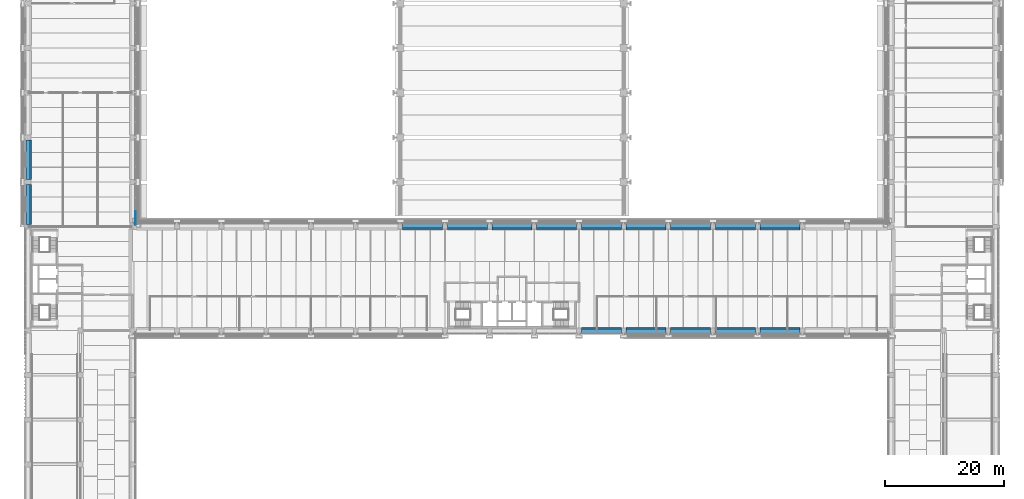
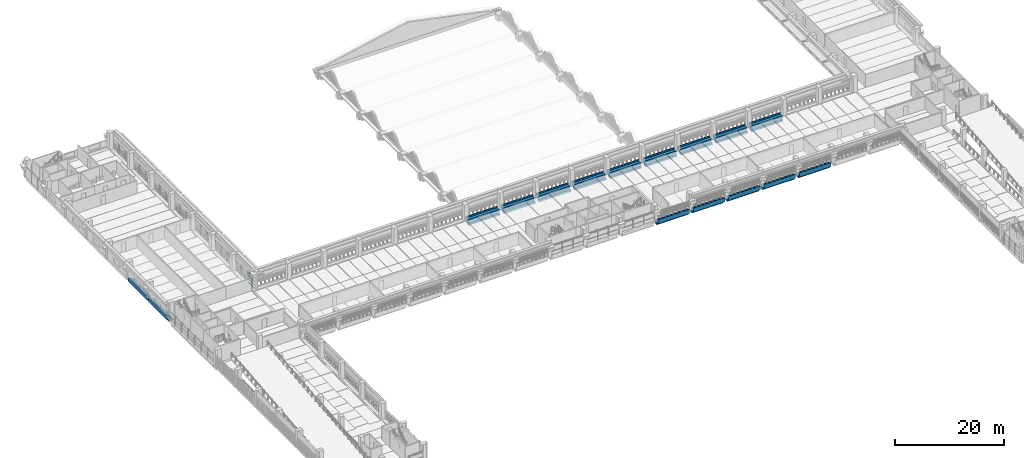
# One storey, part 8 of 71: 16 beams, 4 members, 1 element without a shape of its own.
"""IFC4 building model written with IfcOpenShell, lengths in metres."""

from ifc_helpers import new_model, si_unit, direction, frame, origin, origin_2d, place, context, subcontext, project, spatial, polyline, rectangle, outline, extrude, material, layer, layer_set, material_profile, profile_set, type_object, element, aggregate, save


model = new_model("IFC4")

# Units and contexts
model_context = context("Model", 3, precision=1e-05, world=origin(), true_north=direction((0.0, 1.0)))
body_context = subcontext(model_context, "Body", "Model", "MODEL_VIEW")
ifc_project = project(units=[si_unit("LENGTHUNIT", "METRE"), si_unit("AREAUNIT", "SQUARE_METRE"), si_unit("VOLUMEUNIT", "CUBIC_METRE"), si_unit("PLANEANGLEUNIT", "RADIAN"), si_unit("MASSUNIT", "GRAM", prefix="KILO")], contexts=[model_context])

# Site, building, storey
site_placement = place(None, origin())
site = spatial("IfcSite", under=ifc_project, at=site_placement, CompositionType="ELEMENT")
building_placement = place(site_placement, origin())
building = spatial("IfcBuilding", under=site, at=building_placement, Name="Cour d'Honneur Mobility Palace", CompositionType="ELEMENT")
storey_placement = place(building_placement, frame((0.0, 0.0, 15.60009765625)))
storey = spatial("IfcBuildingStorey", under=building, at=storey_placement, Name="L04", CompositionType="ELEMENT", Elevation=15.60009765625)

# Curtain wall, members
ifc_material_1 = material(Name="Aluminium and glass", Category="aluminium")
ifc_layer = layer(ifc_material_1, 0.10009765625)
ifc_layer_set = layer_set([ifc_layer], Name="Aluminium and glass")
curtain_wall_type = type_object("IfcCurtainWallType", Name="Curtain wall run", PredefinedType="NOTDEFINED", material=ifc_layer_set)
curtain_wall_placement = place(storey_placement, origin())
curtain_wall = element("IfcCurtainWall", 1, at=curtain_wall_placement, inside=storey, type_object=curtain_wall_type, Name="Curtain wall CW-37", PredefinedType="NOTDEFINED")
ifc_material_2 = material(Name="Aluminium", Category="aluminium")
ifc_material_profile_1 = material_profile(ifc_material_2, rectangle(XDim=0.06005859375, YDim=0.1201171875, at=origin_2d()), Name="Curtain wall transom")
ifc_profile_set_1 = profile_set([ifc_material_profile_1], Name="Aluminium")
member_type = type_object("IfcMemberType", Name="Curtain wall transom", PredefinedType="USERDEFINED", material=ifc_profile_set_1)
member_1_placement = place(storey_placement, frame((17.949951171875, 62.760009765625, 0.02978515625), z_axis=(0.0, 1.0, 0.0), x_axis=(-1.0, 0.0, 0.0)))
member_1 = element("IfcMember", 2, at=member_1_placement, type_object=member_type, Name="CW-37 transom 1.1", ObjectType="TRANSOM", PredefinedType="USERDEFINED", context=body_context, shape_type="SweptSolid", body=[
    extrude(rectangle(XDim=0.06005859375, YDim=0.1201171875, at=origin_2d()), origin(), (0.0, 0.0, 1.0), 2.2099609375),
])
member_2_placement = place(storey_placement, frame((17.949951171875, 62.760009765625, 0.7666015625), z_axis=(0.0, 1.0, 0.0), x_axis=(-1.0, 0.0, 0.0)))
member_2 = element("IfcMember", 3, at=member_2_placement, type_object=member_type, Name="CW-37 transom 1.2", ObjectType="TRANSOM", PredefinedType="USERDEFINED", context=body_context, shape_type="SweptSolid", body=[
    extrude(rectangle(XDim=0.06005859375, YDim=0.1201171875, at=origin_2d()), origin(), (0.0, 0.0, 1.0), 2.2099609375),
])
member_3_placement = place(storey_placement, frame((17.949951171875, 62.760009765625, 1.533203125), z_axis=(0.0, 1.0, 0.0), x_axis=(-1.0, 0.0, 0.0)))
member_3 = element("IfcMember", 4, at=member_3_placement, type_object=member_type, Name="CW-37 transom 1.3", ObjectType="TRANSOM", PredefinedType="USERDEFINED", context=body_context, shape_type="SweptSolid", body=[
    extrude(rectangle(XDim=0.06005859375, YDim=0.1201171875, at=origin_2d()), origin(), (0.0, 0.0, 1.0), 2.2099609375),
])
member_4_placement = place(storey_placement, frame((17.949951171875, 62.760009765625, 2.27001953125), z_axis=(0.0, 1.0, 0.0), x_axis=(-1.0, 0.0, 0.0)))
member_4 = element("IfcMember", 5, at=member_4_placement, type_object=member_type, Name="CW-37 transom 1.4", ObjectType="TRANSOM", PredefinedType="USERDEFINED", context=body_context, shape_type="SweptSolid", body=[
    extrude(rectangle(XDim=0.06005859375, YDim=0.1201171875, at=origin_2d()), origin(), (0.0, 0.0, 1.0), 2.2099609375),
])
aggregate(curtain_wall, [member_1, member_2, member_3, member_4])

# Beams
ifc_material_3 = material(Name="Concrete C45", Category="concrete")
ifc_material_profile_2 = material_profile(ifc_material_3, outline(polyline([(0.5, -1.10009765625), (0.5, -0.75), (0.199951171875, -0.75), (0.199951171875, 0.0), (-0.199951171875, 0.0), (-0.449951171875, 0.0), (-0.449951171875, 0.300048828125), (-0.64990234375, 0.300048828125), (-0.64990234375, -0.60009765625), (-0.199951171875, -0.60009765625), (-0.199951171875, -1.10009765625), (0.5, -1.10009765625)])), Name="Ledger Beam 400x1100 ledge left 350 facade right")
ifc_profile_set_2 = profile_set([ifc_material_profile_2], Name="Concrete C45")
beam_type_1 = type_object("IfcBeamType", Name="Ledger Beam 400x1100 ledge left 350 facade right", PredefinedType="BEAM", material=ifc_profile_set_2)
for number, where, z_axis, x_axis, name in (
    (6, (92.800048828125, 45.0, 0.0), (1.0, 0.0, 0.0), (0.0, 1.0, 0.0), "Precast beam B2 12-13 L04"),
    (7, (100.300048828125, 45.0, 0.0), (1.0, 0.0, 0.0), (0.0, 1.0, 0.0), "Precast beam B2 13-14 L04"),
    (8, (107.800048828125, 45.0, 0.0), (1.0, 0.0, 0.0), (0.0, 1.0, 0.0), "Precast beam B2 14-15 L04"),
    (9, (115.300048828125, 45.0, 0.0), (1.0, 0.0, 0.0), (0.0, 1.0, 0.0), "Precast beam B2 15-16 L04"),
    (10, (122.800048828125, 45.0, 0.0), (1.0, 0.0, 0.0), (0.0, 1.0, 0.0), "Precast beam B2 16-17 L04"),
):
    element("IfcBeam", number, at=place(storey_placement, frame(where, z_axis=z_axis, x_axis=x_axis)), inside=storey, type_object=beam_type_1, Name=name, PredefinedType="BEAM", context=body_context, shape_type="SweptSolid", body=[
        extrude(outline(polyline([(0.5, -1.10009765625), (0.5, -0.75), (0.199951171875, -0.75), (0.199951171875, 0.0), (-0.199951171875, 0.0), (-0.449951171875, 0.0), (-0.449951171875, 0.300048828125), (-0.64990234375, 0.300048828125), (-0.64990234375, -0.60009765625), (-0.199951171875, -0.60009765625), (-0.199951171875, -1.10009765625), (0.5, -1.10009765625)])), origin(), (0.0, 0.0, 1.0), 6.699951171875),
    ])
ifc_material_4 = material(Name="Concrete C45", Category="concrete")
ifc_material_profile_3 = material_profile(ifc_material_4, outline(polyline([(0.199951171875, -1.10009765625), (0.199951171875, -0.60009765625), (0.64990234375, -0.60009765625), (0.64990234375, 0.300048828125), (0.449951171875, 0.300048828125), (0.449951171875, 0.0), (0.199951171875, 0.0), (-0.199951171875, 0.0), (-0.199951171875, -0.75), (-0.5, -0.75), (-0.5, -1.10009765625), (0.199951171875, -1.10009765625)])), Name="Ledger Beam 400x1100 ledge right 350 facade left")
ifc_profile_set_3 = profile_set([ifc_material_profile_3], Name="Concrete C45")
beam_type_2 = type_object("IfcBeamType", Name="Ledger Beam 400x1100 ledge right 350 facade left", PredefinedType="BEAM", material=ifc_profile_set_3)
for number, where, z_axis, x_axis, name in (
    (11, (62.800048828125, 62.39990234375, 0.0), (1.0, 0.0, 0.0), (0.0, 1.0, 0.0), "Precast beam B4 8-9 L04"),
    (12, (92.800048828125, 62.39990234375, 0.0), (1.0, 0.0, 0.0), (0.0, 1.0, 0.0), "Precast beam B4 12-13 L04"),
    (13, (100.300048828125, 62.39990234375, 0.0), (1.0, 0.0, 0.0), (0.0, 1.0, 0.0), "Precast beam B4 13-14 L04"),
    (14, (107.800048828125, 62.39990234375, 0.0), (1.0, 0.0, 0.0), (0.0, 1.0, 0.0), "Precast beam B4 14-15 L04"),
    (15, (115.300048828125, 62.39990234375, 0.0), (1.0, 0.0, 0.0), (0.0, 1.0, 0.0), "Precast beam B4 15-16 L04"),
    (16, (122.800048828125, 62.39990234375, 0.0), (1.0, 0.0, 0.0), (0.0, 1.0, 0.0), "Precast beam B4 16-17 L04"),
    (17, (0.0, 62.800048828125, 0.0), (0.0, 1.0, 0.0), (-1.0, 0.0, 0.0), "Precast beam B4 H-J L04"),
    (18, (0.0, 70.300048828125, 0.0), (0.0, 1.0, 0.0), (-1.0, 0.0, 0.0), "Precast beam B4 J-K L04"),
):
    element("IfcBeam", number, at=place(storey_placement, frame(where, z_axis=z_axis, x_axis=x_axis)), inside=storey, type_object=beam_type_2, Name=name, PredefinedType="BEAM", context=body_context, shape_type="SweptSolid", body=[
        extrude(outline(polyline([(0.199951171875, -1.10009765625), (0.199951171875, -0.60009765625), (0.64990234375, -0.60009765625), (0.64990234375, 0.300048828125), (0.449951171875, 0.300048828125), (0.449951171875, 0.0), (0.199951171875, 0.0), (-0.199951171875, 0.0), (-0.199951171875, -0.75), (-0.5, -0.75), (-0.5, -1.10009765625), (0.199951171875, -1.10009765625)])), origin(), (0.0, 0.0, 1.0), 6.699951171875),
    ])
ifc_material_5 = material(Name="Concrete C45", Category="concrete")
ifc_material_profile_4 = material_profile(ifc_material_5, outline(polyline([(0.199951171875, -1.10009765625), (0.199951171875, -0.60009765625), (0.64990234375, -0.60009765625), (0.64990234375, 0.300048828125), (0.449951171875, 0.300048828125), (0.449951171875, 0.0), (0.199951171875, 0.0), (-0.199951171875, 0.0), (-0.199951171875, -0.64990234375), (-0.5, -0.64990234375), (-0.5, -1.10009765625), (0.199951171875, -1.10009765625)])), Name="Ledger Beam 400x1100 ledge right 450 facade left")
ifc_profile_set_4 = profile_set([ifc_material_profile_4], Name="Concrete C45")
beam_type_3 = type_object("IfcBeamType", Name="Ledger Beam 400x1100 ledge right 450 facade left", PredefinedType="BEAM", material=ifc_profile_set_4)
for number, where, z_axis, x_axis, name in (
    (19, (70.300048828125, 62.39990234375, 0.0), (1.0, 0.0, 0.0), (0.0, 1.0, 0.0), "Precast beam B5 9-10 L04"),
    (20, (77.800048828125, 62.39990234375, 0.0), (1.0, 0.0, 0.0), (0.0, 1.0, 0.0), "Precast beam B5 10-11 L04"),
    (21, (85.300048828125, 62.39990234375, 0.0), (1.0, 0.0, 0.0), (0.0, 1.0, 0.0), "Precast beam B5 11-12 L04"),
):
    element("IfcBeam", number, at=place(storey_placement, frame(where, z_axis=z_axis, x_axis=x_axis)), inside=storey, type_object=beam_type_3, Name=name, PredefinedType="BEAM", context=body_context, shape_type="SweptSolid", body=[
        extrude(outline(polyline([(0.199951171875, -1.10009765625), (0.199951171875, -0.60009765625), (0.64990234375, -0.60009765625), (0.64990234375, 0.300048828125), (0.449951171875, 0.300048828125), (0.449951171875, 0.0), (0.199951171875, 0.0), (-0.199951171875, 0.0), (-0.199951171875, -0.64990234375), (-0.5, -0.64990234375), (-0.5, -1.10009765625), (0.199951171875, -1.10009765625)])), origin(), (0.0, 0.0, 1.0), 6.699951171875),
    ])

save(model, "model.ifc")
